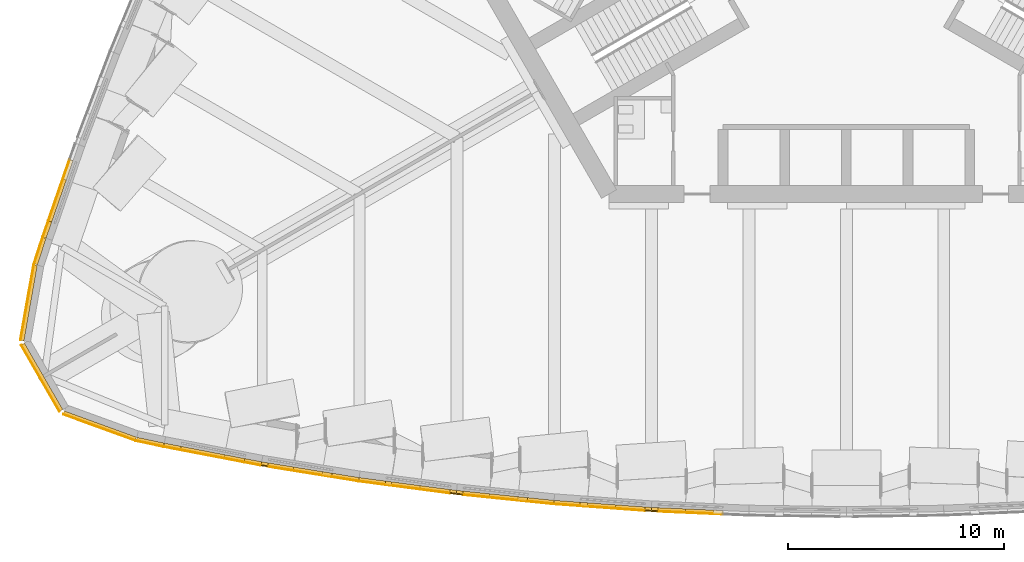
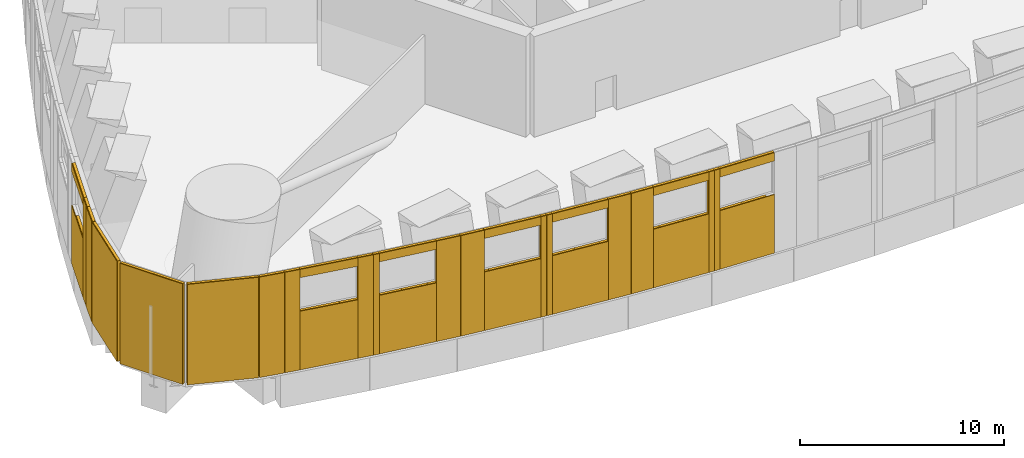
# One storey, part 14 of 28: 72 coverings.
"""IFC4 building model written with IfcOpenShell, lengths in metres."""

from ifc_helpers import new_model, si_unit, direction, frame, origin, origin_2d, place, context, subcontext, project, spatial, rectangle, extrude, material, layer, layer_set, type_object, element, save


model = new_model("IFC4")

# Units and contexts
model_context = context("Model", 3, precision=1e-05, world=origin(), true_north=direction((0.0, 1.0)))
body_context = subcontext(model_context, "Body", "Model", "MODEL_VIEW")
ifc_project = project(units=[si_unit("LENGTHUNIT", "METRE"), si_unit("AREAUNIT", "SQUARE_METRE"), si_unit("VOLUMEUNIT", "CUBIC_METRE"), si_unit("PLANEANGLEUNIT", "RADIAN"), si_unit("MASSUNIT", "GRAM", prefix="KILO")], contexts=[model_context])

# Site, building, storey
site_placement = place(None, origin())
site = spatial("IfcSite", under=ifc_project, at=site_placement, CompositionType="ELEMENT")
building_placement = place(site_placement, origin())
building = spatial("IfcBuilding", under=site, at=building_placement, Name="Trefoil Bronze Tower", CompositionType="ELEMENT")
storey_placement = place(building_placement, frame((0.0, 0.0, 92.10009765625)))
storey = spatial("IfcBuildingStorey", under=building, at=storey_placement, Name="L21", CompositionType="ELEMENT", Elevation=92.10009765625)

# Coverings
ifc_material_1 = material(Name="Bronze-finish aluminium rainscreen panel on aluminium rails", Category="aluminium")
ifc_layer_1 = layer(ifc_material_1, 0.0400390625)
ifc_layer_set_1 = layer_set([ifc_layer_1], Name="Bronze cladding panel 40")
covering_type_1 = type_object("IfcCoveringType", Name="Bronze cladding panel 40", PredefinedType="CLADDING", material=ifc_layer_set_1)
covering_1_placement = place(storey_placement, frame((-32.197509765625, -24.54541015625, 0.0), z_axis=(0.0, 0.0, 1.0), x_axis=(0.978302717045, -0.20718058264, 0.0)))
element("IfcCovering", 1, at=covering_1_placement, inside=storey, type_object=covering_type_1, Name="Cladding panel L21 Face 1.1 piece 1", PredefinedType="CLADDING", context=body_context, shape_type="SweptSolid", body=[
    extrude(rectangle(XDim=1.290283203125, YDim=0.0400390625, at=origin_2d()), origin(), (0.0, 0.0, 1.0), 6.0),
])
for number, where, z_axis, x_axis, name in (
    (2, (-31.171875, -24.7548828125, 0.0), (0.0, 0.0, 1.0), (0.982049823817, -0.188621694249, 0.0), "Cladding panel L21 Face 1.2 piece 1"),
    (3, (-27.44873046875, -25.469970703125, 0.0), (0.0, 0.0, 1.0), (0.982049823817, -0.188621694249, 0.0), "Cladding panel L21 Face 1.2 piece 2"),
):
    element("IfcCovering", number, at=place(storey_placement, frame(where, z_axis=z_axis, x_axis=x_axis)), inside=storey, type_object=covering_type_1, Name=name, PredefinedType="CLADDING", context=body_context, shape_type="SweptSolid", body=[
        extrude(rectangle(XDim=0.791015625, YDim=0.0400390625, at=origin_2d()), origin(), (0.0, 0.0, 1.0), 6.0),
    ])
covering_2_placement = place(storey_placement, frame((-29.310302734375, -25.112548828125, 0.0), z_axis=(0.0, 0.0, 1.0), x_axis=(0.982049823817, -0.188621694249, 0.0)))
element("IfcCovering", 4, at=covering_2_placement, inside=storey, type_object=covering_type_1, Name="Cladding panel L21 Face 1.2 piece 3", PredefinedType="CLADDING", context=body_context, shape_type="SweptSolid", body=[
    extrude(rectangle(XDim=3.0, YDim=0.0400390625, at=origin_2d()), origin(), (0.0, 0.0, 1.0), 3.5),
])
covering_3_placement = place(storey_placement, frame((-29.310302734375, -25.112548828125, 5.5), z_axis=(0.0, 0.0, 1.0), x_axis=(0.982049823817, -0.188621694249, 0.0)))
element("IfcCovering", 5, at=covering_3_placement, inside=storey, type_object=covering_type_1, Name="Cladding panel L21 Face 1.2 piece 4", PredefinedType="CLADDING", context=body_context, shape_type="SweptSolid", body=[
    extrude(rectangle(XDim=3.0, YDim=0.0400390625, at=origin_2d()), origin(), (0.0, 0.0, 1.0), 0.5),
])
covering_4_placement = place(storey_placement, frame((-26.903076171875, -25.5703125, 0.0), z_axis=(0.0, 0.0, 1.0), x_axis=(0.987181315147, -0.159602791403, 0.0)))
element("IfcCovering", 6, at=covering_4_placement, inside=storey, type_object=covering_type_1, Name="Cladding panel L21 Face 1.3 piece 1", PredefinedType="CLADDING", context=body_context, shape_type="SweptSolid", body=[
    extrude(rectangle(XDim=0.300048828125, YDim=0.0400390625, at=origin_2d()), origin(), (0.0, 0.0, 1.0), 6.0),
])
covering_5_placement = place(storey_placement, frame((-23.172119140625, -26.17333984375, 0.0), z_axis=(0.0, 0.0, 1.0), x_axis=(0.987181315147, -0.159602791403, 0.0)))
element("IfcCovering", 7, at=covering_5_placement, inside=storey, type_object=covering_type_1, Name="Cladding panel L21 Face 1.3 piece 2", PredefinedType="CLADDING", context=body_context, shape_type="SweptSolid", body=[
    extrude(rectangle(XDim=1.258544921875, YDim=0.0400390625, at=origin_2d()), origin(), (0.0, 0.0, 1.0), 6.0),
])
covering_6_placement = place(storey_placement, frame((-25.274169921875, -25.83349609375, 0.0), z_axis=(0.0, 0.0, 1.0), x_axis=(0.987181315147, -0.159602791403, 0.0)))
element("IfcCovering", 8, at=covering_6_placement, inside=storey, type_object=covering_type_1, Name="Cladding panel L21 Face 1.3 piece 3", PredefinedType="CLADDING", context=body_context, shape_type="SweptSolid", body=[
    extrude(rectangle(XDim=3.0, YDim=0.0400390625, at=origin_2d()), origin(), (0.0, 0.0, 1.0), 3.5),
])
covering_7_placement = place(storey_placement, frame((-25.274169921875, -25.83349609375, 5.5), z_axis=(0.0, 0.0, 1.0), x_axis=(0.987181315147, -0.159602791403, 0.0)))
element("IfcCovering", 9, at=covering_7_placement, inside=storey, type_object=covering_type_1, Name="Cladding panel L21 Face 1.3 piece 4", PredefinedType="CLADDING", context=body_context, shape_type="SweptSolid", body=[
    extrude(rectangle(XDim=3.0, YDim=0.0400390625, at=origin_2d()), origin(), (0.0, 0.0, 1.0), 0.5),
])
covering_8_placement = place(storey_placement, frame((-21.927734375, -26.35595703125, 0.0), z_axis=(0.0, 0.0, 1.0), x_axis=(0.991437251591, -0.130583981243, 0.0)))
element("IfcCovering", 10, at=covering_8_placement, inside=storey, type_object=covering_type_1, Name="Cladding panel L21 Face 1.4 piece 1", PredefinedType="CLADDING", context=body_context, shape_type="SweptSolid", body=[
    extrude(rectangle(XDim=1.23876953125, YDim=0.0400390625, at=origin_2d()), origin(), (0.0, 0.0, 1.0), 6.0),
])
covering_9_placement = place(storey_placement, frame((-18.1904296875, -26.848388671875, 0.0), z_axis=(0.0, 0.0, 1.0), x_axis=(0.991437251591, -0.130583981243, 0.0)))
element("IfcCovering", 11, at=covering_9_placement, inside=storey, type_object=covering_type_1, Name="Cladding panel L21 Face 1.4 piece 2", PredefinedType="CLADDING", context=body_context, shape_type="SweptSolid", body=[
    extrude(rectangle(XDim=0.300048828125, YDim=0.0400390625, at=origin_2d()), origin(), (0.0, 0.0, 1.0), 6.0),
])
covering_10_placement = place(storey_placement, frame((-19.826416015625, -26.6328125, 0.0), z_axis=(0.0, 0.0, 1.0), x_axis=(0.991437251591, -0.130583981243, 0.0)))
element("IfcCovering", 12, at=covering_10_placement, inside=storey, type_object=covering_type_1, Name="Cladding panel L21 Face 1.4 piece 3", PredefinedType="CLADDING", context=body_context, shape_type="SweptSolid", body=[
    extrude(rectangle(XDim=3.0, YDim=0.0400390625, at=origin_2d()), origin(), (0.0, 0.0, 1.0), 3.5),
])
covering_11_placement = place(storey_placement, frame((-19.826416015625, -26.6328125, 5.5), z_axis=(0.0, 0.0, 1.0), x_axis=(0.991437251591, -0.130583981243, 0.0)))
element("IfcCovering", 13, at=covering_11_placement, inside=storey, type_object=covering_type_1, Name="Cladding panel L21 Face 1.4 piece 4", PredefinedType="CLADDING", context=body_context, shape_type="SweptSolid", body=[
    extrude(rectangle(XDim=3.0, YDim=0.0400390625, at=origin_2d()), origin(), (0.0, 0.0, 1.0), 0.5),
])
covering_12_placement = place(storey_placement, frame((-17.88330078125, -26.88427734375, 0.0), z_axis=(0.0, 0.0, 1.0), x_axis=(0.994828880304, -0.101565244613, 0.0)))
element("IfcCovering", 14, at=covering_12_placement, inside=storey, type_object=covering_type_1, Name="Cladding panel L21 Face 1.5 piece 1", PredefinedType="CLADDING", context=body_context, shape_type="SweptSolid", body=[
    extrude(rectangle(XDim=0.300048828125, YDim=0.0400390625, at=origin_2d()), origin(), (0.0, 0.0, 1.0), 6.0),
])
covering_13_placement = place(storey_placement, frame((-14.14111328125, -27.266357421875, 0.0), z_axis=(0.0, 0.0, 1.0), x_axis=(0.994828880304, -0.101565244613, 0.0)))
element("IfcCovering", 15, at=covering_13_placement, inside=storey, type_object=covering_type_1, Name="Cladding panel L21 Face 1.5 piece 2", PredefinedType="CLADDING", context=body_context, shape_type="SweptSolid", body=[
    extrude(rectangle(XDim=1.223388671875, YDim=0.0400390625, at=origin_2d()), origin(), (0.0, 0.0, 1.0), 6.0),
])
covering_14_placement = place(storey_placement, frame((-16.24169921875, -27.0517578125, 0.0), z_axis=(0.0, 0.0, 1.0), x_axis=(0.994828880304, -0.101565244613, 0.0)))
element("IfcCovering", 16, at=covering_14_placement, inside=storey, type_object=covering_type_1, Name="Cladding panel L21 Face 1.5 piece 3", PredefinedType="CLADDING", context=body_context, shape_type="SweptSolid", body=[
    extrude(rectangle(XDim=3.0, YDim=0.0400390625, at=origin_2d()), origin(), (0.0, 0.0, 1.0), 3.5),
])
covering_15_placement = place(storey_placement, frame((-16.24169921875, -27.0517578125, 5.5), z_axis=(0.0, 0.0, 1.0), x_axis=(0.994828880304, -0.101565244613, 0.0)))
element("IfcCovering", 17, at=covering_15_placement, inside=storey, type_object=covering_type_1, Name="Cladding panel L21 Face 1.5 piece 4", PredefinedType="CLADDING", context=body_context, shape_type="SweptSolid", body=[
    extrude(rectangle(XDim=3.0, YDim=0.0400390625, at=origin_2d()), origin(), (0.0, 0.0, 1.0), 0.5),
])
covering_16_placement = place(storey_placement, frame((-12.9189453125, -27.373046875, 0.0), z_axis=(0.0, 0.0, 1.0), x_axis=(0.997365026465, -0.072546564247, 0.0)))
element("IfcCovering", 18, at=covering_16_placement, inside=storey, type_object=covering_type_1, Name="Cladding panel L21 Face 1.6 piece 1", PredefinedType="CLADDING", context=body_context, shape_type="SweptSolid", body=[
    extrude(rectangle(XDim=1.2119140625, YDim=0.0400390625, at=origin_2d()), origin(), (0.0, 0.0, 1.0), 6.0),
])
covering_17_placement = place(storey_placement, frame((-9.1728515625, -27.6455078125, 0.0), z_axis=(0.0, 0.0, 1.0), x_axis=(0.997365026465, -0.072546564247, 0.0)))
element("IfcCovering", 19, at=covering_17_placement, inside=storey, type_object=covering_type_1, Name="Cladding panel L21 Face 1.6 piece 2", PredefinedType="CLADDING", context=body_context, shape_type="SweptSolid", body=[
    extrude(rectangle(XDim=0.300048828125, YDim=0.0400390625, at=origin_2d()), origin(), (0.0, 0.0, 1.0), 6.0),
])
covering_18_placement = place(storey_placement, frame((-10.818359375, -27.52587890625, 0.0), z_axis=(0.0, 0.0, 1.0), x_axis=(0.997365026465, -0.072546564247, 0.0)))
element("IfcCovering", 20, at=covering_18_placement, inside=storey, type_object=covering_type_1, Name="Cladding panel L21 Face 1.6 piece 3", PredefinedType="CLADDING", context=body_context, shape_type="SweptSolid", body=[
    extrude(rectangle(XDim=3.0, YDim=0.0400390625, at=origin_2d()), origin(), (0.0, 0.0, 1.0), 3.5),
])
covering_19_placement = place(storey_placement, frame((-10.818359375, -27.52587890625, 5.5), z_axis=(0.0, 0.0, 1.0), x_axis=(0.997365026465, -0.072546564247, 0.0)))
element("IfcCovering", 21, at=covering_19_placement, inside=storey, type_object=covering_type_1, Name="Cladding panel L21 Face 1.6 piece 4", PredefinedType="CLADDING", context=body_context, shape_type="SweptSolid", body=[
    extrude(rectangle(XDim=3.0, YDim=0.0400390625, at=origin_2d()), origin(), (0.0, 0.0, 1.0), 0.5),
])
covering_20_placement = place(storey_placement, frame((-8.864013671875, -27.66357421875, 0.0), z_axis=(0.0, 0.0, 1.0), x_axis=(0.999052210812, -0.043527922899, 0.0)))
element("IfcCovering", 22, at=covering_20_placement, inside=storey, type_object=covering_type_1, Name="Cladding panel L21 Face 1.7 piece 1", PredefinedType="CLADDING", context=body_context, shape_type="SweptSolid", body=[
    extrude(rectangle(XDim=0.300048828125, YDim=0.0400390625, at=origin_2d()), origin(), (0.0, 0.0, 1.0), 6.0),
])
covering_21_placement = place(storey_placement, frame((-7.215576171875, -27.7353515625, 0.0), z_axis=(0.0, 0.0, 1.0), x_axis=(0.999052210812, -0.043527922899, 0.0)))
element("IfcCovering", 23, at=covering_21_placement, inside=storey, type_object=covering_type_1, Name="Cladding panel L21 Face 1.7 piece 3", PredefinedType="CLADDING", context=body_context, shape_type="SweptSolid", body=[
    extrude(rectangle(XDim=3.0, YDim=0.0400390625, at=origin_2d()), origin(), (0.0, 0.0, 1.0), 3.5),
])
covering_22_placement = place(storey_placement, frame((-7.215576171875, -27.7353515625, 5.5), z_axis=(0.0, 0.0, 1.0), x_axis=(0.999052210812, -0.043527922899, 0.0)))
element("IfcCovering", 24, at=covering_22_placement, inside=storey, type_object=covering_type_1, Name="Cladding panel L21 Face 1.7 piece 4", PredefinedType="CLADDING", context=body_context, shape_type="SweptSolid", body=[
    extrude(rectangle(XDim=3.0, YDim=0.0400390625, at=origin_2d()), origin(), (0.0, 0.0, 1.0), 0.5),
])
covering_23_placement = place(storey_placement, frame((-37.0244140625, -14.6181640625, 0.0), z_axis=(0.0, 0.0, 1.0), x_axis=(-0.327673733133, -0.94479094228, 0.0)))
element("IfcCovering", 25, at=covering_23_placement, inside=storey, type_object=covering_type_1, Name="Cladding panel L21 Face 3.15 piece 2", PredefinedType="CLADDING", context=body_context, shape_type="SweptSolid", body=[
    extrude(rectangle(XDim=0.791015625, YDim=0.0400390625, at=origin_2d()), origin(), (0.0, 0.0, 1.0), 6.0),
])
covering_24_placement = place(storey_placement, frame((-36.4033203125, -12.827392578125, 0.0), z_axis=(0.0, 0.0, 1.0), x_axis=(-0.327673733133, -0.94479094228, 0.0)))
element("IfcCovering", 26, at=covering_24_placement, inside=storey, type_object=covering_type_1, Name="Cladding panel L21 Face 3.15 piece 3", PredefinedType="CLADDING", context=body_context, shape_type="SweptSolid", body=[
    extrude(rectangle(XDim=3.0, YDim=0.0400390625, at=origin_2d()), origin(), (0.0, 0.0, 1.0), 3.5),
])
covering_25_placement = place(storey_placement, frame((-36.4033203125, -12.827392578125, 5.5), z_axis=(0.0, 0.0, 1.0), x_axis=(-0.327673733133, -0.94479094228, 0.0)))
element("IfcCovering", 27, at=covering_25_placement, inside=storey, type_object=covering_type_1, Name="Cladding panel L21 Face 3.15 piece 4", PredefinedType="CLADDING", context=body_context, shape_type="SweptSolid", body=[
    extrude(rectangle(XDim=3.0, YDim=0.0400390625, at=origin_2d()), origin(), (0.0, 0.0, 1.0), 0.5),
])
covering_26_placement = place(storey_placement, frame((-37.355712890625, -15.611083984375, 0.0), z_axis=(0.0, 0.0, 1.0), x_axis=(-0.309727710653, -0.950825296915, 0.0)))
element("IfcCovering", 28, at=covering_26_placement, inside=storey, type_object=covering_type_1, Name="Cladding panel L21 Face 3.16 piece 1", PredefinedType="CLADDING", context=body_context, shape_type="SweptSolid", body=[
    extrude(rectangle(XDim=1.290283203125, YDim=0.0400390625, at=origin_2d()), origin(), (0.0, 0.0, 1.0), 6.0),
])
for number, where, z_axis, x_axis, name in (
    (29, (-37.874267578125, -18.013916015625, 0.0), (0.0, 0.0, 1.0), (-0.173648177633, -0.984807753018, 0.0), "Cladding panel L21 Corner 3.1 piece 1"),
    (30, (-37.2578125, -21.5107421875, 0.0), (0.0, 0.0, 1.0), (0.499999999909, -0.866025403837, 0.0), "Cladding panel L21 Corner 3.2 piece 1"),
    (31, (-34.537841796875, -23.79296875, 0.0), (0.0, 0.0, 1.0), (0.939692620756, -0.342020143408, 0.0), "Cladding panel L21 Corner 3.3 piece 1"),
):
    element("IfcCovering", number, at=place(storey_placement, frame(where, z_axis=z_axis, x_axis=x_axis)), inside=storey, type_object=covering_type_1, Name=name, PredefinedType="CLADDING", context=body_context, shape_type="SweptSolid", body=[
        extrude(rectangle(XDim=3.545654296875, YDim=0.0400390625, at=origin_2d()), origin(), (0.0, 0.0, 1.0), 6.0),
    ])
ifc_material_2 = material(Name="Non-combustible mineral wool slab", Category="insulation")
ifc_layer_2 = layer(ifc_material_2, 0.14990234375)
ifc_layer_set_2 = layer_set([ifc_layer_2], Name="Rainscreen insulation 150")
covering_type_2 = type_object("IfcCoveringType", Name="Rainscreen insulation 150", PredefinedType="INSULATION", material=ifc_layer_set_2)
covering_27_placement = place(storey_placement, frame((-32.177734375, -24.452392578125, 0.0), z_axis=(0.0, 0.0, 1.0), x_axis=(0.978302717045, -0.20718058264, 0.0)))
element("IfcCovering", 32, at=covering_27_placement, inside=storey, type_object=covering_type_2, Name="Insulation L21 Face 1.1 piece 1", PredefinedType="INSULATION", context=body_context, shape_type="SweptSolid", body=[
    extrude(rectangle(XDim=1.290283203125, YDim=0.14990234375, at=origin_2d()), origin(), (0.0, 0.0, 1.0), 6.0),
])
covering_28_placement = place(storey_placement, frame((-31.154052734375, -24.66162109375, 0.0), z_axis=(0.0, 0.0, 1.0), x_axis=(0.982049823817, -0.188621694249, 0.0)))
element("IfcCovering", 33, at=covering_28_placement, inside=storey, type_object=covering_type_2, Name="Insulation L21 Face 1.2 piece 1", PredefinedType="INSULATION", context=body_context, shape_type="SweptSolid", body=[
    extrude(rectangle(XDim=0.791015625, YDim=0.14990234375, at=origin_2d()), origin(), (0.0, 0.0, 1.0), 6.0),
])
covering_29_placement = place(storey_placement, frame((-27.430908203125, -25.376708984375, 0.1298828125), z_axis=(0.0, 0.0, 1.0), x_axis=(0.982049823817, -0.188621694249, 0.0)))
element("IfcCovering", 34, at=covering_29_placement, inside=storey, type_object=covering_type_2, Name="Insulation L21 Face 1.2 piece 2", PredefinedType="INSULATION", context=body_context, shape_type="SweptSolid", body=[
    extrude(rectangle(XDim=0.791015625, YDim=0.14990234375, at=origin_2d()), origin(), (0.0, 0.0, 1.0), 5.8701171875),
])
covering_30_placement = place(storey_placement, frame((-29.75390625, -24.930419921875, 0.0), z_axis=(0.0, 0.0, 1.0), x_axis=(0.982049823817, -0.188621694249, 0.0)))
element("IfcCovering", 35, at=covering_30_placement, inside=storey, type_object=covering_type_2, Name="Insulation L21 Face 1.2 piece 3", PredefinedType="INSULATION", context=body_context, shape_type="SweptSolid", body=[
    extrude(rectangle(XDim=2.06005859375, YDim=0.14990234375, at=origin_2d()), origin(), (0.0, 0.0, 1.0), 3.5),
])
covering_31_placement = place(storey_placement, frame((-28.281005859375, -25.21337890625, 0.11474609375), z_axis=(0.0, 0.0, 1.0), x_axis=(0.982049823817, -0.188621694249, 0.0)))
element("IfcCovering", 36, at=covering_31_placement, inside=storey, type_object=covering_type_2, Name="Insulation L21 Face 1.2 piece 3 part 2", PredefinedType="INSULATION", context=body_context, shape_type="SweptSolid", body=[
    extrude(rectangle(XDim=0.93994140625, YDim=0.14990234375, at=origin_2d()), origin(), (0.0, 0.0, 1.0), 3.385009765625),
])
covering_32_placement = place(storey_placement, frame((-29.29248046875, -25.019287109375, 5.5), z_axis=(0.0, 0.0, 1.0), x_axis=(0.982049823817, -0.188621694249, 0.0)))
element("IfcCovering", 37, at=covering_32_placement, inside=storey, type_object=covering_type_2, Name="Insulation L21 Face 1.2 piece 4", PredefinedType="INSULATION", context=body_context, shape_type="SweptSolid", body=[
    extrude(rectangle(XDim=3.0, YDim=0.14990234375, at=origin_2d()), origin(), (0.0, 0.0, 1.0), 0.5),
])
covering_33_placement = place(storey_placement, frame((-26.887939453125, -25.476318359375, 0.15966796875), z_axis=(0.0, 0.0, 1.0), x_axis=(0.987181315147, -0.159602791403, 0.0)))
element("IfcCovering", 38, at=covering_33_placement, inside=storey, type_object=covering_type_2, Name="Insulation L21 Face 1.3 piece 1", PredefinedType="INSULATION", context=body_context, shape_type="SweptSolid", body=[
    extrude(rectangle(XDim=0.300048828125, YDim=0.14990234375, at=origin_2d()), origin(), (0.0, 0.0, 1.0), 5.840087890625),
])
covering_34_placement = place(storey_placement, frame((-23.156982421875, -26.07958984375, 0.119873046875), z_axis=(0.0, 0.0, 1.0), x_axis=(0.987181315147, -0.159602791403, 0.0)))
element("IfcCovering", 39, at=covering_34_placement, inside=storey, type_object=covering_type_2, Name="Insulation L21 Face 1.3 piece 2", PredefinedType="INSULATION", context=body_context, shape_type="SweptSolid", body=[
    extrude(rectangle(XDim=1.258544921875, YDim=0.14990234375, at=origin_2d()), origin(), (0.0, 0.0, 1.0), 5.8798828125),
])
covering_35_placement = place(storey_placement, frame((-26.15234375, -25.59521484375, 0.2900390625), z_axis=(0.0, 0.0, 1.0), x_axis=(0.987181315147, -0.159602791403, 0.0)))
element("IfcCovering", 40, at=covering_35_placement, inside=storey, type_object=covering_type_2, Name="Insulation L21 Face 1.3 piece 3", PredefinedType="INSULATION", context=body_context, shape_type="SweptSolid", body=[
    extrude(rectangle(XDim=1.18994140625, YDim=0.14990234375, at=origin_2d()), origin(), (0.0, 0.0, 1.0), 3.2099609375),
])
covering_36_placement = place(storey_placement, frame((-24.893798828125, -25.798828125, 0.0), z_axis=(0.0, 0.0, 1.0), x_axis=(0.987181315147, -0.159602791403, 0.0)))
element("IfcCovering", 41, at=covering_36_placement, inside=storey, type_object=covering_type_2, Name="Insulation L21 Face 1.3 piece 3 part 2", PredefinedType="INSULATION", context=body_context, shape_type="SweptSolid", body=[
    extrude(rectangle(XDim=1.360107421875, YDim=0.14990234375, at=origin_2d()), origin(), (0.0, 0.0, 1.0), 3.5),
])
covering_37_placement = place(storey_placement, frame((-24.000244140625, -25.943359375, 0.10498046875), z_axis=(0.0, 0.0, 1.0), x_axis=(0.987181315147, -0.159602791403, 0.0)))
element("IfcCovering", 42, at=covering_37_placement, inside=storey, type_object=covering_type_2, Name="Insulation L21 Face 1.3 piece 3 part 3", PredefinedType="INSULATION", context=body_context, shape_type="SweptSolid", body=[
    extrude(rectangle(XDim=0.449951171875, YDim=0.14990234375, at=origin_2d()), origin(), (0.0, 0.0, 1.0), 3.39501953125),
])
covering_38_placement = place(storey_placement, frame((-25.259033203125, -25.73974609375, 5.5), z_axis=(0.0, 0.0, 1.0), x_axis=(0.987181315147, -0.159602791403, 0.0)))
element("IfcCovering", 43, at=covering_38_placement, inside=storey, type_object=covering_type_2, Name="Insulation L21 Face 1.3 piece 4", PredefinedType="INSULATION", context=body_context, shape_type="SweptSolid", body=[
    extrude(rectangle(XDim=3.0, YDim=0.14990234375, at=origin_2d()), origin(), (0.0, 0.0, 1.0), 0.5),
])
covering_39_placement = place(storey_placement, frame((-21.915283203125, -26.261962890625, 0.259765625), z_axis=(0.0, 0.0, 1.0), x_axis=(0.991437251591, -0.130583981243, 0.0)))
element("IfcCovering", 44, at=covering_39_placement, inside=storey, type_object=covering_type_2, Name="Insulation L21 Face 1.4 piece 1", PredefinedType="INSULATION", context=body_context, shape_type="SweptSolid", body=[
    extrude(rectangle(XDim=1.23876953125, YDim=0.14990234375, at=origin_2d()), origin(), (0.0, 0.0, 1.0), 5.739990234375),
])
covering_40_placement = place(storey_placement, frame((-18.177978515625, -26.754150390625, 0.10986328125), z_axis=(0.0, 0.0, 1.0), x_axis=(0.991437251591, -0.130583981243, 0.0)))
element("IfcCovering", 45, at=covering_40_placement, inside=storey, type_object=covering_type_2, Name="Insulation L21 Face 1.4 piece 2", PredefinedType="INSULATION", context=body_context, shape_type="SweptSolid", body=[
    extrude(rectangle(XDim=0.300048828125, YDim=0.14990234375, at=origin_2d()), origin(), (0.0, 0.0, 1.0), 5.889892578125),
])
covering_41_placement = place(storey_placement, frame((-21.167236328125, -26.3603515625, 0.2900390625), z_axis=(0.0, 0.0, 1.0), x_axis=(0.991437251591, -0.130583981243, 0.0)))
element("IfcCovering", 46, at=covering_41_placement, inside=storey, type_object=covering_type_2, Name="Insulation L21 Face 1.4 piece 3", PredefinedType="INSULATION", context=body_context, shape_type="SweptSolid", body=[
    extrude(rectangle(XDim=0.27001953125, YDim=0.14990234375, at=origin_2d()), origin(), (0.0, 0.0, 1.0), 3.2099609375),
])
covering_42_placement = place(storey_placement, frame((-20.369140625, -26.465576171875, 0.0), z_axis=(0.0, 0.0, 1.0), x_axis=(0.991437251591, -0.130583981243, 0.0)))
element("IfcCovering", 47, at=covering_42_placement, inside=storey, type_object=covering_type_2, Name="Insulation L21 Face 1.4 piece 3 part 2", PredefinedType="INSULATION", context=body_context, shape_type="SweptSolid", body=[
    extrude(rectangle(XDim=1.340087890625, YDim=0.14990234375, at=origin_2d()), origin(), (0.0, 0.0, 1.0), 3.5),
])
covering_43_placement = place(storey_placement, frame((-19.015869140625, -26.643798828125, 0.10986328125), z_axis=(0.0, 0.0, 1.0), x_axis=(0.991437251591, -0.130583981243, 0.0)))
element("IfcCovering", 48, at=covering_43_placement, inside=storey, type_object=covering_type_2, Name="Insulation L21 Face 1.4 piece 3 part 3", PredefinedType="INSULATION", context=body_context, shape_type="SweptSolid", body=[
    extrude(rectangle(XDim=1.389892578125, YDim=0.14990234375, at=origin_2d()), origin(), (0.0, 0.0, 1.0), 3.389892578125),
])
covering_44_placement = place(storey_placement, frame((-19.81396484375, -26.53857421875, 5.5), z_axis=(0.0, 0.0, 1.0), x_axis=(0.991437251591, -0.130583981243, 0.0)))
element("IfcCovering", 49, at=covering_44_placement, inside=storey, type_object=covering_type_2, Name="Insulation L21 Face 1.4 piece 4", PredefinedType="INSULATION", context=body_context, shape_type="SweptSolid", body=[
    extrude(rectangle(XDim=3.0, YDim=0.14990234375, at=origin_2d()), origin(), (0.0, 0.0, 1.0), 0.5),
])
covering_45_placement = place(storey_placement, frame((-17.87353515625, -26.789794921875, 0.14501953125), z_axis=(0.0, 0.0, 1.0), x_axis=(0.994828880304, -0.101565244613, 0.0)))
element("IfcCovering", 50, at=covering_45_placement, inside=storey, type_object=covering_type_2, Name="Insulation L21 Face 1.5 piece 1", PredefinedType="INSULATION", context=body_context, shape_type="SweptSolid", body=[
    extrude(rectangle(XDim=0.300048828125, YDim=0.14990234375, at=origin_2d()), origin(), (0.0, 0.0, 1.0), 5.85498046875),
])
covering_46_placement = place(storey_placement, frame((-14.13134765625, -27.171630859375, 0.125), z_axis=(0.0, 0.0, 1.0), x_axis=(0.994828880304, -0.101565244613, 0.0)))
element("IfcCovering", 51, at=covering_46_placement, inside=storey, type_object=covering_type_2, Name="Insulation L21 Face 1.5 piece 2", PredefinedType="INSULATION", context=body_context, shape_type="SweptSolid", body=[
    extrude(rectangle(XDim=1.223388671875, YDim=0.14990234375, at=origin_2d()), origin(), (0.0, 0.0, 1.0), 5.875),
])
covering_47_placement = place(storey_placement, frame((-17.114990234375, -26.8671875, 0.27978515625), z_axis=(0.0, 0.0, 1.0), x_axis=(0.994828880304, -0.101565244613, 0.0)))
element("IfcCovering", 52, at=covering_47_placement, inside=storey, type_object=covering_type_2, Name="Insulation L21 Face 1.5 piece 3", PredefinedType="INSULATION", context=body_context, shape_type="SweptSolid", body=[
    extrude(rectangle(XDim=1.22509765625, YDim=0.14990234375, at=origin_2d()), origin(), (0.0, 0.0, 1.0), 3.219970703125),
])
covering_48_placement = place(storey_placement, frame((-15.84423828125, -26.996826171875, 0.0), z_axis=(0.0, 0.0, 1.0), x_axis=(0.994828880304, -0.101565244613, 0.0)))
element("IfcCovering", 53, at=covering_48_placement, inside=storey, type_object=covering_type_2, Name="Insulation L21 Face 1.5 piece 3 part 2", PredefinedType="INSULATION", context=body_context, shape_type="SweptSolid", body=[
    extrude(rectangle(XDim=1.330078125, YDim=0.14990234375, at=origin_2d()), origin(), (0.0, 0.0, 1.0), 3.5),
])
covering_49_placement = place(storey_placement, frame((-14.961181640625, -27.0869140625, 0.1298828125), z_axis=(0.0, 0.0, 1.0), x_axis=(0.994828880304, -0.101565244613, 0.0)))
element("IfcCovering", 54, at=covering_49_placement, inside=storey, type_object=covering_type_2, Name="Insulation L21 Face 1.5 piece 3 part 3", PredefinedType="INSULATION", context=body_context, shape_type="SweptSolid", body=[
    extrude(rectangle(XDim=0.445068359375, YDim=0.14990234375, at=origin_2d()), origin(), (0.0, 0.0, 1.0), 3.3701171875),
])
covering_50_placement = place(storey_placement, frame((-16.232177734375, -26.957275390625, 5.5), z_axis=(0.0, 0.0, 1.0), x_axis=(0.994828880304, -0.101565244613, 0.0)))
element("IfcCovering", 55, at=covering_50_placement, inside=storey, type_object=covering_type_2, Name="Insulation L21 Face 1.5 piece 4", PredefinedType="INSULATION", context=body_context, shape_type="SweptSolid", body=[
    extrude(rectangle(XDim=3.0, YDim=0.14990234375, at=origin_2d()), origin(), (0.0, 0.0, 1.0), 0.5),
])
covering_51_placement = place(storey_placement, frame((-12.911865234375, -27.2783203125, 0.22998046875), z_axis=(0.0, 0.0, 1.0), x_axis=(0.997365026465, -0.072546564247, 0.0)))
element("IfcCovering", 56, at=covering_51_placement, inside=storey, type_object=covering_type_2, Name="Insulation L21 Face 1.6 piece 1", PredefinedType="INSULATION", context=body_context, shape_type="SweptSolid", body=[
    extrude(rectangle(XDim=1.2119140625, YDim=0.14990234375, at=origin_2d()), origin(), (0.0, 0.0, 1.0), 5.77001953125),
])
covering_52_placement = place(storey_placement, frame((-9.166015625, -27.55078125, 0.10498046875), z_axis=(0.0, 0.0, 1.0), x_axis=(0.997365026465, -0.072546564247, 0.0)))
element("IfcCovering", 57, at=covering_52_placement, inside=storey, type_object=covering_type_2, Name="Insulation L21 Face 1.6 piece 2", PredefinedType="INSULATION", context=body_context, shape_type="SweptSolid", body=[
    extrude(rectangle(XDim=0.300048828125, YDim=0.14990234375, at=origin_2d()), origin(), (0.0, 0.0, 1.0), 5.89501953125),
])
covering_53_placement = place(storey_placement, frame((-12.140625, -27.33447265625, 0.2646484375), z_axis=(0.0, 0.0, 1.0), x_axis=(0.997365026465, -0.072546564247, 0.0)))
element("IfcCovering", 58, at=covering_53_placement, inside=storey, type_object=covering_type_2, Name="Insulation L21 Face 1.6 piece 3", PredefinedType="INSULATION", context=body_context, shape_type="SweptSolid", body=[
    extrude(rectangle(XDim=0.3349609375, YDim=0.14990234375, at=origin_2d()), origin(), (0.0, 0.0, 1.0), 3.235107421875),
])
covering_54_placement = place(storey_placement, frame((-11.317626953125, -27.394287109375, 0.0), z_axis=(0.0, 0.0, 1.0), x_axis=(0.997365026465, -0.072546564247, 0.0)))
element("IfcCovering", 59, at=covering_54_placement, inside=storey, type_object=covering_type_2, Name="Insulation L21 Face 1.6 piece 3 part 2", PredefinedType="INSULATION", context=body_context, shape_type="SweptSolid", body=[
    extrude(rectangle(XDim=1.31494140625, YDim=0.14990234375, at=origin_2d()), origin(), (0.0, 0.0, 1.0), 3.5),
])
covering_55_placement = place(storey_placement, frame((-9.98876953125, -27.490966796875, 0.14990234375), z_axis=(0.0, 0.0, 1.0), x_axis=(0.997365026465, -0.072546564247, 0.0)))
element("IfcCovering", 60, at=covering_55_placement, inside=storey, type_object=covering_type_2, Name="Insulation L21 Face 1.6 piece 3 part 3", PredefinedType="INSULATION", context=body_context, shape_type="SweptSolid", body=[
    extrude(rectangle(XDim=1.35009765625, YDim=0.14990234375, at=origin_2d()), origin(), (0.0, 0.0, 1.0), 3.35009765625),
])
covering_56_placement = place(storey_placement, frame((-10.8115234375, -27.43115234375, 5.5), z_axis=(0.0, 0.0, 1.0), x_axis=(0.997365026465, -0.072546564247, 0.0)))
element("IfcCovering", 61, at=covering_56_placement, inside=storey, type_object=covering_type_2, Name="Insulation L21 Face 1.6 piece 4", PredefinedType="INSULATION", context=body_context, shape_type="SweptSolid", body=[
    extrude(rectangle(XDim=3.0, YDim=0.14990234375, at=origin_2d()), origin(), (0.0, 0.0, 1.0), 0.5),
])
covering_57_placement = place(storey_placement, frame((-8.85986328125, -27.568603515625, 0.125), z_axis=(0.0, 0.0, 1.0), x_axis=(0.999052210812, -0.043527922899, 0.0)))
element("IfcCovering", 62, at=covering_57_placement, inside=storey, type_object=covering_type_2, Name="Insulation L21 Face 1.7 piece 1", PredefinedType="INSULATION", context=body_context, shape_type="SweptSolid", body=[
    extrude(rectangle(XDim=0.300048828125, YDim=0.14990234375, at=origin_2d()), origin(), (0.0, 0.0, 1.0), 5.875),
])
covering_58_placement = place(storey_placement, frame((-8.078125, -27.602783203125, 0.244873046875), z_axis=(0.0, 0.0, 1.0), x_axis=(0.999052210812, -0.043527922899, 0.0)))
element("IfcCovering", 63, at=covering_58_placement, inside=storey, type_object=covering_type_2, Name="Insulation L21 Face 1.7 piece 3", PredefinedType="INSULATION", context=body_context, shape_type="SweptSolid", body=[
    extrude(rectangle(XDim=1.264892578125, YDim=0.14990234375, at=origin_2d()), origin(), (0.0, 0.0, 1.0), 3.2548828125),
])
covering_59_placement = place(storey_placement, frame((-6.7919921875, -27.65869140625, 0.0), z_axis=(0.0, 0.0, 1.0), x_axis=(0.999052210812, -0.043527922899, 0.0)))
element("IfcCovering", 64, at=covering_59_placement, inside=storey, type_object=covering_type_2, Name="Insulation L21 Face 1.7 piece 3 part 2", PredefinedType="INSULATION", context=body_context, shape_type="SweptSolid", body=[
    extrude(rectangle(XDim=1.31005859375, YDim=0.14990234375, at=origin_2d()), origin(), (0.0, 0.0, 1.0), 3.5),
])
covering_60_placement = place(storey_placement, frame((-7.21142578125, -27.640380859375, 5.5), z_axis=(0.0, 0.0, 1.0), x_axis=(0.999052210812, -0.043527922899, 0.0)))
element("IfcCovering", 65, at=covering_60_placement, inside=storey, type_object=covering_type_2, Name="Insulation L21 Face 1.7 piece 4", PredefinedType="INSULATION", context=body_context, shape_type="SweptSolid", body=[
    extrude(rectangle(XDim=3.0, YDim=0.14990234375, at=origin_2d()), origin(), (0.0, 0.0, 1.0), 0.5),
])
covering_61_placement = place(storey_placement, frame((-36.9345703125, -14.6494140625, 0.0), z_axis=(0.0, 0.0, 1.0), x_axis=(-0.327673733133, -0.94479094228, 0.0)))
element("IfcCovering", 66, at=covering_61_placement, inside=storey, type_object=covering_type_2, Name="Insulation L21 Face 3.15 piece 2", PredefinedType="INSULATION", context=body_context, shape_type="SweptSolid", body=[
    extrude(rectangle(XDim=0.791015625, YDim=0.14990234375, at=origin_2d()), origin(), (0.0, 0.0, 1.0), 6.0),
])
covering_62_placement = place(storey_placement, frame((-36.467529296875, -13.302490234375, 0.0), z_axis=(0.0, 0.0, 1.0), x_axis=(-0.327673733133, -0.94479094228, 0.0)))
element("IfcCovering", 67, at=covering_62_placement, inside=storey, type_object=covering_type_2, Name="Insulation L21 Face 3.15 piece 3 part 2", PredefinedType="INSULATION", context=body_context, shape_type="SweptSolid", body=[
    extrude(rectangle(XDim=2.06005859375, YDim=0.14990234375, at=origin_2d()), origin(), (0.0, 0.0, 1.0), 3.5),
])
covering_63_placement = place(storey_placement, frame((-36.3134765625, -12.8583984375, 5.5), z_axis=(0.0, 0.0, 1.0), x_axis=(-0.327673733133, -0.94479094228, 0.0)))
element("IfcCovering", 68, at=covering_63_placement, inside=storey, type_object=covering_type_2, Name="Insulation L21 Face 3.15 piece 4", PredefinedType="INSULATION", context=body_context, shape_type="SweptSolid", body=[
    extrude(rectangle(XDim=3.0, YDim=0.14990234375, at=origin_2d()), origin(), (0.0, 0.0, 1.0), 0.5),
])
covering_64_placement = place(storey_placement, frame((-37.265380859375, -15.640625, 0.0), z_axis=(0.0, 0.0, 1.0), x_axis=(-0.309727710653, -0.950825296915, 0.0)))
element("IfcCovering", 69, at=covering_64_placement, inside=storey, type_object=covering_type_2, Name="Insulation L21 Face 3.16 piece 1", PredefinedType="INSULATION", context=body_context, shape_type="SweptSolid", body=[
    extrude(rectangle(XDim=1.290283203125, YDim=0.14990234375, at=origin_2d()), origin(), (0.0, 0.0, 1.0), 6.0),
])
for number, where, z_axis, x_axis, name in (
    (70, (-37.78076171875, -18.030517578125, 0.0), (0.0, 0.0, 1.0), (-0.173648177633, -0.984807753018, 0.0), "Insulation L21 Corner 3.1 piece 1"),
    (71, (-37.175537109375, -21.463134765625, 0.0), (0.0, 0.0, 1.0), (0.499999999909, -0.866025403837, 0.0), "Insulation L21 Corner 3.2 piece 1"),
    (72, (-34.505126953125, -23.703857421875, 0.0), (0.0, 0.0, 1.0), (0.939692620756, -0.342020143408, 0.0), "Insulation L21 Corner 3.3 piece 1"),
):
    element("IfcCovering", number, at=place(storey_placement, frame(where, z_axis=z_axis, x_axis=x_axis)), inside=storey, type_object=covering_type_2, Name=name, PredefinedType="INSULATION", context=body_context, shape_type="SweptSolid", body=[
        extrude(rectangle(XDim=3.545654296875, YDim=0.14990234375, at=origin_2d()), origin(), (0.0, 0.0, 1.0), 6.0),
    ])

save(model, "model.ifc")
